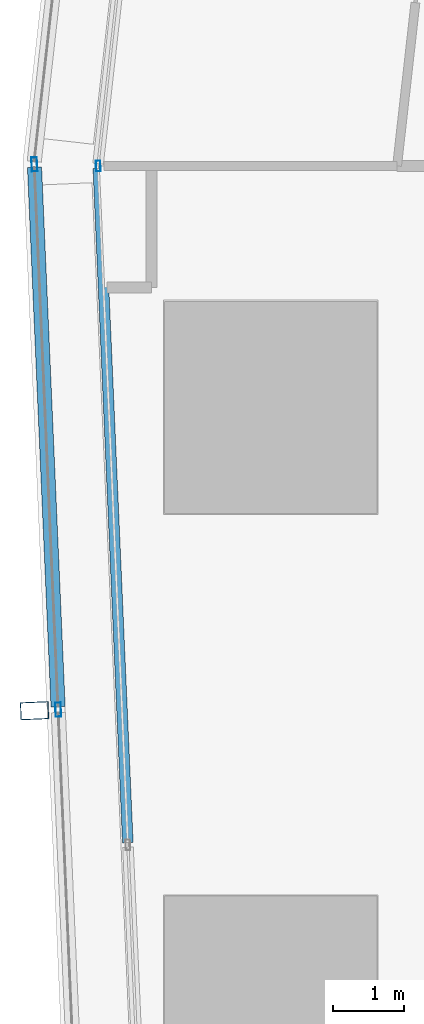
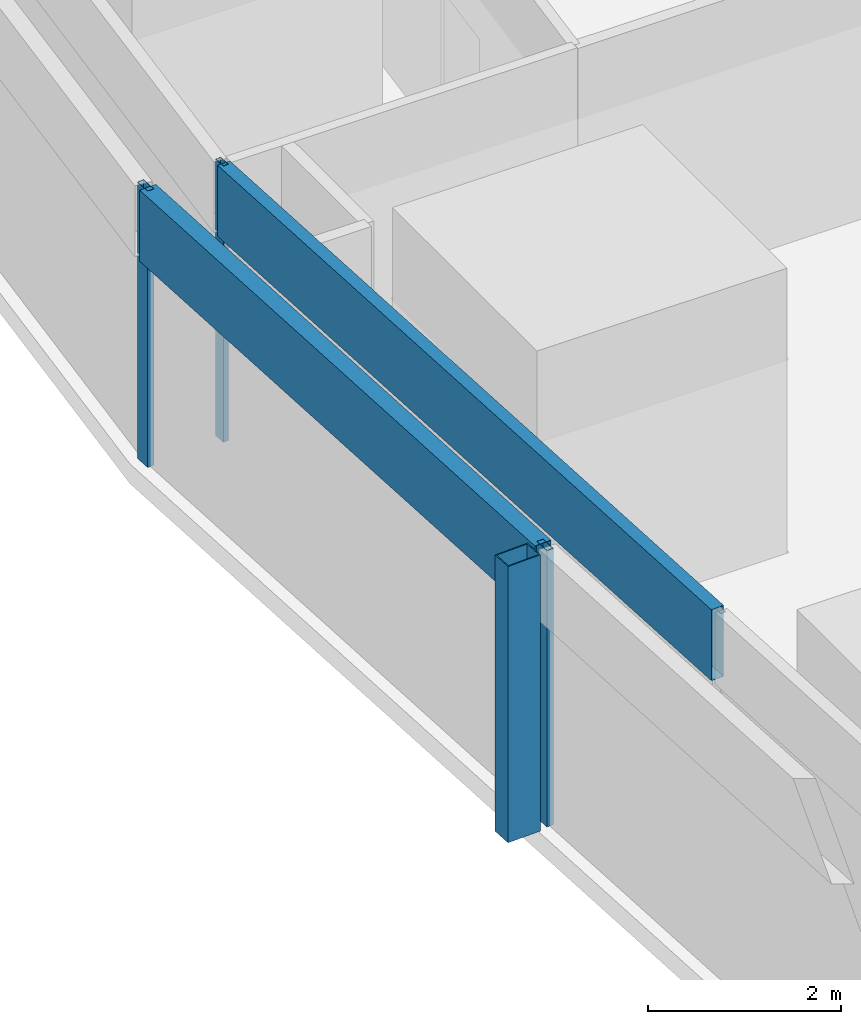
# One storey, part 14 of 45: 6 members, 2 elements without a shape of their own.
"""IFC4 building model written with IfcOpenShell, lengths in metres."""

from ifc_helpers import new_model, si_unit, direction, frame, origin, origin_2d, place, context, subcontext, project, spatial, hollow_rectangle, extrude, material, material_profile, profile_set, type_object, element, aggregate, save


model = new_model("IFC4")

# Units and contexts
model_context = context("Model", 3, precision=1e-05, world=origin(), true_north=direction((0.0, 1.0)))
body_context = subcontext(model_context, "Body", "Model", "MODEL_VIEW")
ifc_project = project(units=[si_unit("LENGTHUNIT", "METRE"), si_unit("AREAUNIT", "SQUARE_METRE"), si_unit("VOLUMEUNIT", "CUBIC_METRE"), si_unit("PLANEANGLEUNIT", "RADIAN"), si_unit("MASSUNIT", "GRAM", prefix="KILO")], contexts=[model_context])

# Site, building, storey
site_placement = place(None, origin())
site = spatial("IfcSite", under=ifc_project, at=site_placement, CompositionType="ELEMENT")
building_placement = place(site_placement, origin())
building = spatial("IfcBuilding", under=site, at=building_placement, Name="Rekha Terrace Tower", CompositionType="ELEMENT")
storey_placement = place(building_placement, frame((0.0, 0.0, 77.89990234375)))
storey = spatial("IfcBuildingStorey", under=building, at=storey_placement, Name="L19", CompositionType="ELEMENT", Elevation=77.89990234375)

# Curtain wall, member
ifc_material_1 = material(Name="Aluminium framing", Category="aluminium")
curtain_wall_type_1 = type_object("IfcCurtainWallType", Name="CW2 double skin outer glazing", PredefinedType="USERDEFINED", material=ifc_material_1)
curtain_wall_1_placement = place(storey_placement, origin())
curtain_wall_1 = element("IfcCurtainWall", 1, at=curtain_wall_1_placement, inside=storey, type_object=curtain_wall_type_1, Name="CW2 double skin outer glazing", ObjectType="DOUBLE SKIN OUTER GLAZING", PredefinedType="USERDEFINED")
ifc_material_2 = material(Name="Steel S355 with fluorocarbon finish", Category="steel")
ifc_material_profile_1 = material_profile(ifc_material_2, hollow_rectangle(XDim=0.25, YDim=0.39990234375, WallThickness=0.012451171875, at=origin_2d()), Name="RHS400x250x12.5")
ifc_profile_set_1 = profile_set([ifc_material_profile_1], Name="Steel S355 with fluorocarbon finish")
member_type_1 = type_object("IfcMemberType", Name="BL1 facade blade RHS 400 x 250", PredefinedType="USERDEFINED", material=ifc_profile_set_1)
member_1_placement = place(storey_placement, frame((5.064208984375, 37.715576171875, 0.0), z_axis=(0.0, 0.0, 1.0), x_axis=(0.04368215933, -0.999045478923, 0.0)))
member_1 = element("IfcMember", 2, at=member_1_placement, type_object=member_type_1, Name="Facade blade", ObjectType="FACADE BLADE", PredefinedType="USERDEFINED", context=body_context, shape_type="SweptSolid", body=[
    extrude(hollow_rectangle(XDim=0.25, YDim=0.39990234375, WallThickness=0.012451171875, at=origin_2d()), origin(), (0.0, 0.0, 1.0), 3.5),
])

# Curtain wall, members
curtain_wall_type_2 = type_object("IfcCurtainWallType", Name="CW1 double skin inner glazing", PredefinedType="USERDEFINED", material=ifc_material_1)
curtain_wall_2_placement = place(storey_placement, origin())
curtain_wall_2 = element("IfcCurtainWall", 3, at=curtain_wall_2_placement, inside=storey, type_object=curtain_wall_type_2, Name="CW1 double skin inner glazing", ObjectType="DOUBLE SKIN INNER GLAZING", PredefinedType="USERDEFINED")
ifc_material_3 = material(Name="Aluminium mullion section", Category="aluminium")
ifc_material_profile_2 = material_profile(ifc_material_3, hollow_rectangle(XDim=0.06494140625, YDim=0.14990234375, WallThickness=0.00390625, at=origin_2d()), Name="AL RHS 65x150")
ifc_profile_set_2 = profile_set([ifc_material_profile_2], Name="Aluminium mullion section")
member_type_2 = type_object("IfcMemberType", Name="CW1 mullion RHS 65 x 150", PredefinedType="MULLION", material=ifc_profile_set_2)
member_2_placement = place(storey_placement, frame((5.964111328125, 45.4111328125, 0.0), z_axis=(0.0, 0.0, 1.0), x_axis=(0.999045462133, 0.04368254332, 0.0)))
member_2 = element("IfcMember", 4, at=member_2_placement, type_object=member_type_2, Name="CW1 mullion 1", PredefinedType="MULLION", context=body_context, shape_type="SweptSolid", body=[
    extrude(hollow_rectangle(XDim=0.06494140625, YDim=0.14990234375, WallThickness=0.00390625, at=origin_2d()), origin(), (0.0, 0.0, 1.0), 3.5),
])
ifc_material_4 = material(Name="Insulated aluminium spandrel box", Category="aluminium")
ifc_material_profile_3 = material_profile(ifc_material_4, hollow_rectangle(XDim=0.14990234375, YDim=0.89990234375, WallThickness=0.0029296875, at=origin_2d()), Name="AL SPANDREL BOX 150x900")
ifc_profile_set_3 = profile_set([ifc_material_profile_3], Name="Insulated aluminium spandrel box")
member_type_3 = type_object("IfcMemberType", Name="CW1 spandrel transom 150 x 900", PredefinedType="USERDEFINED", material=ifc_profile_set_3)
member_3_placement = place(storey_placement, frame((5.96533203125, 45.378662109375, 3.050048828125), z_axis=(0.043703877685, -0.999044529075, 0.0), x_axis=(0.999044529075, 0.043703877685, 0.0)))
member_3 = element("IfcMember", 5, at=member_3_placement, type_object=member_type_3, Name="CW1 spandrel transom 1", ObjectType="TRANSOM", PredefinedType="USERDEFINED", context=body_context, shape_type="SweptSolid", body=[
    extrude(hollow_rectangle(XDim=0.14990234375, YDim=0.89990234375, WallThickness=0.0029296875, at=origin_2d()), origin(), (0.0, 0.0, 1.0), 9.53564453125),
])
aggregate(curtain_wall_2, [member_2, member_3])

# Member
ifc_material_profile_4 = material_profile(ifc_material_3, hollow_rectangle(XDim=0.080078125, YDim=0.199951171875, WallThickness=0.00390625, at=origin_2d()), Name="AL RHS 80x200")
ifc_profile_set_4 = profile_set([ifc_material_profile_4], Name="Aluminium mullion section")
member_type_4 = type_object("IfcMemberType", Name="CW2 mullion RHS 80 x 200", PredefinedType="MULLION", material=ifc_profile_set_4)
member_4_placement = place(storey_placement, frame((5.062255859375, 45.4345703125, 0.0), z_axis=(0.0, 0.0, 1.0), x_axis=(0.999045462131, 0.043682543372, 0.0)))
member_4 = element("IfcMember", 6, at=member_4_placement, type_object=member_type_4, Name="CW2 mullion 1", PredefinedType="MULLION", context=body_context, shape_type="SweptSolid", body=[
    extrude(hollow_rectangle(XDim=0.080078125, YDim=0.199951171875, WallThickness=0.00390625, at=origin_2d()), origin(), (0.0, 0.0, 1.0), 3.5),
])

member_5_placement = place(storey_placement, frame((5.39892578125, 37.730224609375, 0.0), z_axis=(0.0, 0.0, 1.0), x_axis=(0.999045462131, 0.043682543372, 0.0)))
member_5 = element("IfcMember", 7, at=member_5_placement, type_object=member_type_4, Name="CW2 mullion 2", PredefinedType="MULLION", context=body_context, shape_type="SweptSolid", body=[
    extrude(hollow_rectangle(XDim=0.080078125, YDim=0.199951171875, WallThickness=0.00390625, at=origin_2d()), origin(), (0.0, 0.0, 1.0), 3.5),
])

ifc_material_profile_5 = material_profile(ifc_material_4, hollow_rectangle(XDim=0.199951171875, YDim=0.89990234375, WallThickness=0.0029296875, at=origin_2d()), Name="AL SPANDREL BOX 200x900")
ifc_profile_set_5 = profile_set([ifc_material_profile_5], Name="Insulated aluminium spandrel box")
member_type_5 = type_object("IfcMemberType", Name="CW2 spandrel transom 200 x 900", PredefinedType="USERDEFINED", material=ifc_profile_set_5)
member_6_placement = place(storey_placement, frame((5.06396484375, 45.39453125, 3.050048828125), z_axis=(0.043666283256, -0.99904617296, 0.0), x_axis=(0.99904617296, 0.043666283256, 0.0)))
member_6 = element("IfcMember", 8, at=member_6_placement, type_object=member_type_5, Name="CW2 spandrel transom 1", ObjectType="TRANSOM", PredefinedType="USERDEFINED", context=body_context, shape_type="SweptSolid", body=[
    extrude(hollow_rectangle(XDim=0.199951171875, YDim=0.89990234375, WallThickness=0.0029296875, at=origin_2d()), origin(), (0.0, 0.0, 1.0), 7.6318359375),
])

aggregate(curtain_wall_1, [member_4, member_5, member_6, member_1])

save(model, "model.ifc")
